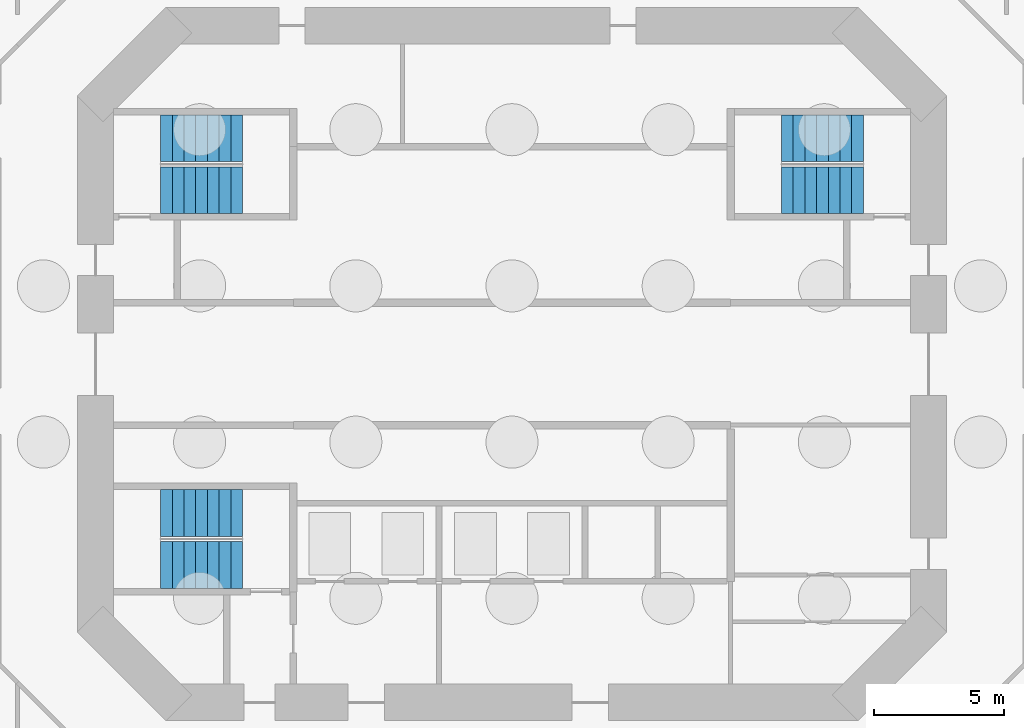
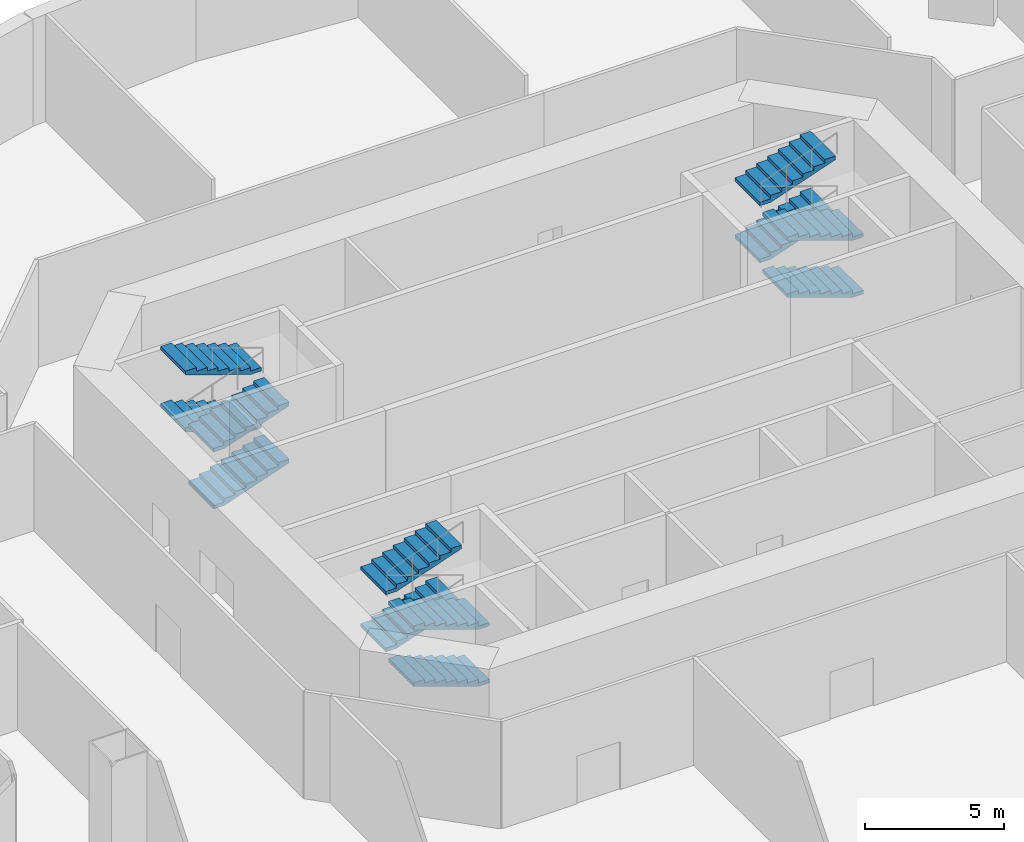
# One storey, part 7 of 9: 12 stair flights, 3 elements without a shape of their own.
"""IFC4 building model written with IfcOpenShell, lengths in metres."""

import ifcopenshell
import ifcopenshell.guid

model = None  # the IFC model being written
_history = None  # IfcOwnerHistory: only IFC2X3 demands one
_inside = {}  # id of a spatial element -> (the spatial element, [elements in it])
_under = {}  # id of a project, library or spatial element -> (it, [spatial elements below it])
_declared = {}  # id of a project -> (the project, [libraries it declares])
_typed = {}  # id of a type object -> (the type object, [elements of that type])
_made_of = {}  # id of a material, layer set ... -> (it, [elements and type objects made of it])


def new_model(schema):
    """Start an empty IFC model of exactly this schema.

    Asked for "IFC4X3", IfcOpenShell would pick the latest addendum, in which some entities
    have other attributes; the version numbers below select the first issue.
    IFC2X3 requires an IfcOwnerHistory on every rooted entity: one is made here for all.
    """
    global model, _history
    if schema == "IFC4X3":
        model = ifcopenshell.file(schema_version=(4, 3, 0, 0))
    else:
        model = ifcopenshell.file(schema=schema)
    _inside.clear()
    _under.clear()
    _declared.clear()
    _typed.clear()
    _made_of.clear()
    _history = None
    if model.schema == "IFC2X3":
        org = make("IfcOrganization", Name="unknown")
        user = make(
            "IfcPersonAndOrganization",
            ThePerson=make("IfcPerson", FamilyName="unknown"),
            TheOrganization=org,
        )
        app = make(
            "IfcApplication",
            ApplicationDeveloper=org,
            Version="unknown",
            ApplicationFullName="unknown",
            ApplicationIdentifier="unknown",
        )
        _history = make(
            "IfcOwnerHistory",
            OwningUser=user,
            OwningApplication=app,
            ChangeAction="ADDED",
            CreationDate=0,
        )
    return model


def make(cls, **values):
    """One entity of the class cls with the attributes given. An attribute that is None is left unset."""
    return model.create_entity(
        cls, **{name: value for name, value in values.items() if value is not None}
    )


def rooted(cls, **values):
    """An entity with a GlobalId (a new one), such as an element, a storey or a relation."""
    return make(cls, GlobalId=ifcopenshell.guid.new(), OwnerHistory=_history, **values)


def si_unit(unit_type, name, prefix=None):
    """IfcSIUnit, for example si_unit("LENGTHUNIT", "METRE", prefix="MILLI")."""
    return make("IfcSIUnit", UnitType=unit_type, Prefix=prefix, Name=name)


def assignment(units):
    """IfcUnitAssignment: the units of a project."""
    return None if units is None else make("IfcUnitAssignment", Units=units)


def point(xyz):
    """IfcCartesianPoint."""
    return None if xyz is None else make("IfcCartesianPoint", Coordinates=xyz)


def direction(xyz):
    """IfcDirection."""
    return None if xyz is None else make("IfcDirection", DirectionRatios=xyz)


def frame(location, z_axis=None, x_axis=None):
    """IfcAxis2Placement3D, a coordinate frame: its origin and axes. An axis left out is left unset."""
    return make(
        "IfcAxis2Placement3D",
        Location=point(location),
        Axis=direction(z_axis),
        RefDirection=direction(x_axis),
    )


def origin():
    """The frame at (0, 0, 0) with its axes left unset."""
    return frame((0.0, 0.0, 0.0))


def place(relative_to, where):
    """IfcLocalPlacement: puts the frame where relative to a parent placement (None: the world)."""
    return make(
        "IfcLocalPlacement", PlacementRelTo=relative_to, RelativePlacement=where
    )


def context(
    kind, dimensions, precision=None, world=None, true_north=None, identifier=None
):
    """IfcGeometricRepresentationContext, for example the 3D "Model" context."""
    return make(
        "IfcGeometricRepresentationContext",
        ContextIdentifier=identifier,
        ContextType=kind,
        CoordinateSpaceDimension=dimensions,
        Precision=precision,
        WorldCoordinateSystem=world,
        TrueNorth=true_north,
    )


def subcontext(parent, identifier, kind, view, scale=None):
    """IfcGeometricRepresentationSubContext, for example "Body" below "Model"."""
    return make(
        "IfcGeometricRepresentationSubContext",
        ContextIdentifier=identifier,
        ContextType=kind,
        ParentContext=parent,
        TargetScale=scale,
        TargetView=view,
    )


def project(units=None, contexts=None):
    """IfcProject with its units and contexts."""
    return rooted(
        "IfcProject",
        Name="project",
        RepresentationContexts=contexts,
        UnitsInContext=assignment(units),
    )


def spatial(cls, under=None, at=None, **own):
    """A site, building, storey or space (cls), placed at a placement, below another one or the project."""
    s = rooted(cls, ObjectPlacement=at, **own)
    if under is not None:
        _under.setdefault(under.id(), (under, []))[1].append(s)
    return s


def polyline(points):
    """IfcPolyline through the points."""
    return make("IfcPolyline", Points=[point(p) for p in points])


def outline(outer, holes=None, kind="AREA"):
    """IfcArbitraryClosedProfileDef: a profile drawn as a closed curve; with holes, ...WithVoids."""
    if holes is None:
        return make("IfcArbitraryClosedProfileDef", ProfileType=kind, OuterCurve=outer)
    return make(
        "IfcArbitraryProfileDefWithVoids",
        ProfileType=kind,
        OuterCurve=outer,
        InnerCurves=holes,
    )


def extrude(swept, where, along, depth):
    """IfcExtrudedAreaSolid: the profile swept, set in the frame where, extruded along a direction by depth."""
    return make(
        "IfcExtrudedAreaSolid",
        SweptArea=swept,
        Position=where,
        ExtrudedDirection=direction(along),
        Depth=depth,
    )


def shape(context_of_items, identifier, shape_type, items):
    """IfcShapeRepresentation: the items that make up one representation, for example the "Body"."""
    return make(
        "IfcShapeRepresentation",
        ContextOfItems=context_of_items,
        RepresentationIdentifier=identifier,
        RepresentationType=shape_type,
        Items=items,
    )


def material(Name=None, Category=None):
    """IfcMaterial."""
    return make("IfcMaterial", Name=Name, Category=Category)


def made_of(thing, what):
    """Note that an element or type object is made of a material, layer set ...; save() writes the relation."""
    if what is not None:
        _made_of.setdefault(what.id(), (what, []))[1].append(thing)
    return thing


def type_object(cls, material=None, **own):
    """A type object (cls), such as IfcWallType, which elements share."""
    return made_of(rooted(cls, **own), material)


def element(
    cls,
    number,
    at=None,
    inside=None,
    cuts=None,
    type_object=None,
    material=None,
    context=None,
    identifier="Body",
    shape_type=None,
    held_by="IfcProductDefinitionShape",
    body=None,
    shapes=None,
    **own,
):
    """One element of the class cls, such as IfcWall. Its Tag is "e" and its number.

    at: its placement. inside: the storey or other place that contains it. cuts: it is an
    opening in that element (IfcRelVoidsElement). A single representation is given by context,
    identifier, shape_type and body (its items); several are given by shapes. held_by: the class
    of the entity that holds the representations. save() writes the other relations.
    """
    e = rooted(cls, Tag="e%d" % number, ObjectPlacement=at, **own)
    if body is not None:
        shapes = [shape(context, identifier, shape_type, body)]
    if shapes is not None:
        e.Representation = make(held_by, Representations=shapes)
    if inside is not None:
        _inside.setdefault(inside.id(), (inside, []))[1].append(e)
    if cuts is not None:
        rooted(
            "IfcRelVoidsElement", RelatingBuildingElement=cuts, RelatedOpeningElement=e
        )
    if type_object is not None:
        _typed.setdefault(type_object.id(), (type_object, []))[1].append(e)
    return made_of(e, material)


def aggregate(whole, parts):
    """IfcRelAggregates: a whole, such as a stair, and the parts it consists of."""
    return rooted("IfcRelAggregates", RelatingObject=whole, RelatedObjects=parts)


def save(model, path):
    """Write the relations noted so far, then the file.

    IfcRelAggregates (storeys below a building ...), IfcRelContainedInSpatialStructure (elements
    in a storey), IfcRelDefinesByType, IfcRelAssociatesMaterial and IfcRelDeclares: one each for
    every whole, place, type object, material and project.
    """
    for whole, parts in _under.values():
        aggregate(whole, parts)
    for where, things in _inside.values():
        rooted(
            "IfcRelContainedInSpatialStructure",
            RelatedElements=things,
            RelatingStructure=where,
        )
    for kind, things in _typed.values():
        rooted("IfcRelDefinesByType", RelatedObjects=things, RelatingType=kind)
    for what, things in _made_of.values():
        rooted("IfcRelAssociatesMaterial", RelatedObjects=things, RelatingMaterial=what)
    for by, libraries in _declared.values():
        rooted("IfcRelDeclares", RelatingContext=by, RelatedDefinitions=libraries)
    model.write(path)


model = new_model("IFC4")

# Units and contexts
model_context = context("Model", 3, precision=1e-05, world=origin(), true_north=direction((0.0, 1.0)))
body_context = subcontext(model_context, "Body", "Model", "MODEL_VIEW")
ifc_project = project(units=[si_unit("LENGTHUNIT", "METRE"), si_unit("AREAUNIT", "SQUARE_METRE"), si_unit("VOLUMEUNIT", "CUBIC_METRE"), si_unit("PLANEANGLEUNIT", "RADIAN"), si_unit("MASSUNIT", "GRAM", prefix="KILO")], contexts=[model_context])

# Site, building, storey
site_placement = place(None, origin())
site = spatial("IfcSite", under=ifc_project, at=site_placement, CompositionType="ELEMENT")
building_placement = place(site_placement, origin())
building = spatial("IfcBuilding", under=site, at=building_placement, Name="Marenthal Gate Tower", CompositionType="ELEMENT")
storey_placement = place(building_placement, frame((0.0, 0.0, -10.0)))
storey = spatial("IfcBuildingStorey", under=building, at=storey_placement, Name="B2", CompositionType="ELEMENT", Elevation=-10.0)

# Stair, stair flights
ifc_material_1 = material(Name="Concrete 40 MPa", Category="concrete")
stair_type = type_object("IfcStairType", Name="Exit stair 1800", PredefinedType="HALF_TURN_STAIR", material=ifc_material_1)
stair_1_placement = place(storey_placement, origin())
stair_1 = element("IfcStair", 1, at=stair_1_placement, inside=storey, type_object=stair_type, Name="Stair ST1", PredefinedType="HALF_TURN_STAIR")
ifc_material_2 = material(Name="Concrete 40 MPa", Category="concrete")
stair_flight_type = type_object("IfcStairFlightType", Name="Stair flight 1800", PredefinedType="STRAIGHT", material=ifc_material_2)
stair_flight_1_placement = place(storey_placement, frame((-13.5, 6.675048828125, 0.0), z_axis=(0.0, 0.0, 1.0), x_axis=(1.0, 0.0, 0.0)))
stair_flight_1 = element("IfcStairFlight", 2, at=stair_flight_1_placement, type_object=stair_flight_type, Name="ST1 flight 1", NumberOfRisers=8, NumberOfTreads=7, PredefinedType="STRAIGHT", RiserHeight=0.15625, TreadLength=0.45, context=body_context, shape_type="SweptSolid", body=[
    extrude(outline(polyline([(0.0, 0.0), (0.0, 0.15625), (0.449951171875, 0.15625), (0.449951171875, 0.3125), (0.89990234375, 0.3125), (0.89990234375, 0.46875), (1.35009765625, 0.46875), (1.35009765625, 0.625), (1.800048828125, 0.625), (1.800048828125, 0.78125), (2.25, 0.78125), (2.25, 0.9375), (2.699951171875, 0.9375), (2.699951171875, 1.09375), (3.14990234375, 1.09375), (3.14990234375, 1.25), (3.14990234375, 0.93505859375), (0.45703125, 0.0), (0.0, 0.0)])), frame((0.0, 0.89990234375, 0.0), z_axis=(0.0, -1.0, 0.0), x_axis=(1.0, 0.0, 0.0)), (0.0, 0.0, 1.0), 1.800048828125),
])
stair_flight_2_placement = place(storey_placement, frame((-10.35009765625, 8.675048828125, 1.25), z_axis=(0.0, 0.0, 1.0), x_axis=(-1.0, 0.0, 0.0)))
stair_flight_2 = element("IfcStairFlight", 3, at=stair_flight_2_placement, type_object=stair_flight_type, Name="ST1 flight 2", NumberOfRisers=8, NumberOfTreads=7, PredefinedType="STRAIGHT", RiserHeight=0.15625, TreadLength=0.45, context=body_context, shape_type="SweptSolid", body=[
    extrude(outline(polyline([(0.0, 0.0), (0.0, 0.15625), (0.449951171875, 0.15625), (0.449951171875, 0.3125), (0.89990234375, 0.3125), (0.89990234375, 0.46875), (1.35009765625, 0.46875), (1.35009765625, 0.625), (1.800048828125, 0.625), (1.800048828125, 0.78125), (2.25, 0.78125), (2.25, 0.9375), (2.699951171875, 0.9375), (2.699951171875, 1.09375), (3.14990234375, 1.09375), (3.14990234375, 1.25), (3.14990234375, 0.93505859375), (0.45703125, 0.0), (0.0, 0.0)])), frame((0.0, 0.89990234375, 0.0), z_axis=(0.0, -1.0, 0.0), x_axis=(1.0, 0.0, 0.0)), (0.0, 0.0, 1.0), 1.800048828125),
])
stair_flight_3_placement = place(storey_placement, frame((-13.5, 6.675048828125, 2.5), z_axis=(0.0, 0.0, 1.0), x_axis=(1.0, 0.0, 0.0)))
stair_flight_3 = element("IfcStairFlight", 4, at=stair_flight_3_placement, type_object=stair_flight_type, Name="ST1 flight 3", NumberOfRisers=8, NumberOfTreads=7, PredefinedType="STRAIGHT", RiserHeight=0.15625, TreadLength=0.45, context=body_context, shape_type="SweptSolid", body=[
    extrude(outline(polyline([(0.0, 0.0), (0.0, 0.15625), (0.449951171875, 0.15625), (0.449951171875, 0.3125), (0.89990234375, 0.3125), (0.89990234375, 0.46875), (1.35009765625, 0.46875), (1.35009765625, 0.625), (1.800048828125, 0.625), (1.800048828125, 0.78125), (2.25, 0.78125), (2.25, 0.9375), (2.699951171875, 0.9375), (2.699951171875, 1.09375), (3.14990234375, 1.09375), (3.14990234375, 1.25), (3.14990234375, 0.93505859375), (0.45703125, 0.0), (0.0, 0.0)])), frame((0.0, 0.89990234375, 0.0), z_axis=(0.0, -1.0, 0.0), x_axis=(1.0, 0.0, 0.0)), (0.0, 0.0, 1.0), 1.800048828125),
])
stair_flight_4_placement = place(storey_placement, frame((-10.35009765625, 8.675048828125, 3.75), z_axis=(0.0, 0.0, 1.0), x_axis=(-1.0, 0.0, 0.0)))
stair_flight_4 = element("IfcStairFlight", 5, at=stair_flight_4_placement, type_object=stair_flight_type, Name="ST1 flight 4", NumberOfRisers=8, NumberOfTreads=7, PredefinedType="STRAIGHT", RiserHeight=0.15625, TreadLength=0.45, context=body_context, shape_type="SweptSolid", body=[
    extrude(outline(polyline([(0.0, 0.0), (0.0, 0.15625), (0.449951171875, 0.15625), (0.449951171875, 0.3125), (0.89990234375, 0.3125), (0.89990234375, 0.46875), (1.35009765625, 0.46875), (1.35009765625, 0.625), (1.800048828125, 0.625), (1.800048828125, 0.78125), (2.25, 0.78125), (2.25, 0.9375), (2.699951171875, 0.9375), (2.699951171875, 1.09375), (3.14990234375, 1.09375), (3.14990234375, 1.25), (3.14990234375, 0.93505859375), (0.45703125, 0.0), (0.0, 0.0)])), frame((0.0, 0.89990234375, 0.0), z_axis=(0.0, -1.0, 0.0), x_axis=(1.0, 0.0, 0.0)), (0.0, 0.0, 1.0), 1.800048828125),
])
aggregate(stair_1, [stair_flight_1, stair_flight_2, stair_flight_3, stair_flight_4])

stair_2_placement = place(storey_placement, origin())
stair_2 = element("IfcStair", 6, at=stair_2_placement, inside=storey, type_object=stair_type, Name="Stair ST2", PredefinedType="HALF_TURN_STAIR")
stair_flight_5_placement = place(storey_placement, frame((-10.35009765625, -7.72509765625, 0.0), z_axis=(0.0, 0.0, 1.0), x_axis=(-1.0, 0.0, 0.0)))
stair_flight_5 = element("IfcStairFlight", 7, at=stair_flight_5_placement, type_object=stair_flight_type, Name="ST2 flight 1", NumberOfRisers=8, NumberOfTreads=7, PredefinedType="STRAIGHT", RiserHeight=0.15625, TreadLength=0.45, context=body_context, shape_type="SweptSolid", body=[
    extrude(outline(polyline([(0.0, 0.0), (0.0, 0.15625), (0.449951171875, 0.15625), (0.449951171875, 0.3125), (0.89990234375, 0.3125), (0.89990234375, 0.46875), (1.35009765625, 0.46875), (1.35009765625, 0.625), (1.800048828125, 0.625), (1.800048828125, 0.78125), (2.25, 0.78125), (2.25, 0.9375), (2.699951171875, 0.9375), (2.699951171875, 1.09375), (3.14990234375, 1.09375), (3.14990234375, 1.25), (3.14990234375, 0.93505859375), (0.45703125, 0.0), (0.0, 0.0)])), frame((0.0, 0.89990234375, 0.0), z_axis=(0.0, -1.0, 0.0), x_axis=(1.0, 0.0, 0.0)), (0.0, 0.0, 1.0), 1.800048828125),
])
stair_flight_6_placement = place(storey_placement, frame((-13.5, -5.72509765625, 1.25), z_axis=(0.0, 0.0, 1.0), x_axis=(1.0, 0.0, 0.0)))
stair_flight_6 = element("IfcStairFlight", 8, at=stair_flight_6_placement, type_object=stair_flight_type, Name="ST2 flight 2", NumberOfRisers=8, NumberOfTreads=7, PredefinedType="STRAIGHT", RiserHeight=0.15625, TreadLength=0.45, context=body_context, shape_type="SweptSolid", body=[
    extrude(outline(polyline([(0.0, 0.0), (0.0, 0.15625), (0.449951171875, 0.15625), (0.449951171875, 0.3125), (0.89990234375, 0.3125), (0.89990234375, 0.46875), (1.35009765625, 0.46875), (1.35009765625, 0.625), (1.800048828125, 0.625), (1.800048828125, 0.78125), (2.25, 0.78125), (2.25, 0.9375), (2.699951171875, 0.9375), (2.699951171875, 1.09375), (3.14990234375, 1.09375), (3.14990234375, 1.25), (3.14990234375, 0.93505859375), (0.45703125, 0.0), (0.0, 0.0)])), frame((0.0, 0.89990234375, 0.0), z_axis=(0.0, -1.0, 0.0), x_axis=(1.0, 0.0, 0.0)), (0.0, 0.0, 1.0), 1.800048828125),
])
stair_flight_7_placement = place(storey_placement, frame((-10.35009765625, -7.72509765625, 2.5), z_axis=(0.0, 0.0, 1.0), x_axis=(-1.0, 0.0, 0.0)))
stair_flight_7 = element("IfcStairFlight", 9, at=stair_flight_7_placement, type_object=stair_flight_type, Name="ST2 flight 3", NumberOfRisers=8, NumberOfTreads=7, PredefinedType="STRAIGHT", RiserHeight=0.15625, TreadLength=0.45, context=body_context, shape_type="SweptSolid", body=[
    extrude(outline(polyline([(0.0, 0.0), (0.0, 0.15625), (0.449951171875, 0.15625), (0.449951171875, 0.3125), (0.89990234375, 0.3125), (0.89990234375, 0.46875), (1.35009765625, 0.46875), (1.35009765625, 0.625), (1.800048828125, 0.625), (1.800048828125, 0.78125), (2.25, 0.78125), (2.25, 0.9375), (2.699951171875, 0.9375), (2.699951171875, 1.09375), (3.14990234375, 1.09375), (3.14990234375, 1.25), (3.14990234375, 0.93505859375), (0.45703125, 0.0), (0.0, 0.0)])), frame((0.0, 0.89990234375, 0.0), z_axis=(0.0, -1.0, 0.0), x_axis=(1.0, 0.0, 0.0)), (0.0, 0.0, 1.0), 1.800048828125),
])
stair_flight_8_placement = place(storey_placement, frame((-13.5, -5.72509765625, 3.75), z_axis=(0.0, 0.0, 1.0), x_axis=(1.0, 0.0, 0.0)))
stair_flight_8 = element("IfcStairFlight", 10, at=stair_flight_8_placement, type_object=stair_flight_type, Name="ST2 flight 4", NumberOfRisers=8, NumberOfTreads=7, PredefinedType="STRAIGHT", RiserHeight=0.15625, TreadLength=0.45, context=body_context, shape_type="SweptSolid", body=[
    extrude(outline(polyline([(0.0, 0.0), (0.0, 0.15625), (0.449951171875, 0.15625), (0.449951171875, 0.3125), (0.89990234375, 0.3125), (0.89990234375, 0.46875), (1.35009765625, 0.46875), (1.35009765625, 0.625), (1.800048828125, 0.625), (1.800048828125, 0.78125), (2.25, 0.78125), (2.25, 0.9375), (2.699951171875, 0.9375), (2.699951171875, 1.09375), (3.14990234375, 1.09375), (3.14990234375, 1.25), (3.14990234375, 0.93505859375), (0.45703125, 0.0), (0.0, 0.0)])), frame((0.0, 0.89990234375, 0.0), z_axis=(0.0, -1.0, 0.0), x_axis=(1.0, 0.0, 0.0)), (0.0, 0.0, 1.0), 1.800048828125),
])
aggregate(stair_2, [stair_flight_5, stair_flight_6, stair_flight_7, stair_flight_8])

stair_3_placement = place(storey_placement, origin())
stair_3 = element("IfcStair", 11, at=stair_3_placement, inside=storey, type_object=stair_type, Name="Stair ST3", PredefinedType="HALF_TURN_STAIR")
stair_flight_9_placement = place(storey_placement, frame((13.5, 6.675048828125, 0.0), z_axis=(0.0, 0.0, 1.0), x_axis=(-1.0, 0.0, 0.0)))
stair_flight_9 = element("IfcStairFlight", 12, at=stair_flight_9_placement, type_object=stair_flight_type, Name="ST3 flight 1", NumberOfRisers=8, NumberOfTreads=7, PredefinedType="STRAIGHT", RiserHeight=0.15625, TreadLength=0.45, context=body_context, shape_type="SweptSolid", body=[
    extrude(outline(polyline([(0.0, 0.0), (0.0, 0.15625), (0.449951171875, 0.15625), (0.449951171875, 0.3125), (0.89990234375, 0.3125), (0.89990234375, 0.46875), (1.35009765625, 0.46875), (1.35009765625, 0.625), (1.800048828125, 0.625), (1.800048828125, 0.78125), (2.25, 0.78125), (2.25, 0.9375), (2.699951171875, 0.9375), (2.699951171875, 1.09375), (3.14990234375, 1.09375), (3.14990234375, 1.25), (3.14990234375, 0.93505859375), (0.45703125, 0.0), (0.0, 0.0)])), frame((0.0, 0.89990234375, 0.0), z_axis=(0.0, -1.0, 0.0), x_axis=(1.0, 0.0, 0.0)), (0.0, 0.0, 1.0), 1.800048828125),
])
stair_flight_10_placement = place(storey_placement, frame((10.35009765625, 8.675048828125, 1.25), z_axis=(0.0, 0.0, 1.0), x_axis=(1.0, 0.0, 0.0)))
stair_flight_10 = element("IfcStairFlight", 13, at=stair_flight_10_placement, type_object=stair_flight_type, Name="ST3 flight 2", NumberOfRisers=8, NumberOfTreads=7, PredefinedType="STRAIGHT", RiserHeight=0.15625, TreadLength=0.45, context=body_context, shape_type="SweptSolid", body=[
    extrude(outline(polyline([(0.0, 0.0), (0.0, 0.15625), (0.449951171875, 0.15625), (0.449951171875, 0.3125), (0.89990234375, 0.3125), (0.89990234375, 0.46875), (1.35009765625, 0.46875), (1.35009765625, 0.625), (1.800048828125, 0.625), (1.800048828125, 0.78125), (2.25, 0.78125), (2.25, 0.9375), (2.699951171875, 0.9375), (2.699951171875, 1.09375), (3.14990234375, 1.09375), (3.14990234375, 1.25), (3.14990234375, 0.93505859375), (0.45703125, 0.0), (0.0, 0.0)])), frame((0.0, 0.89990234375, 0.0), z_axis=(0.0, -1.0, 0.0), x_axis=(1.0, 0.0, 0.0)), (0.0, 0.0, 1.0), 1.800048828125),
])
stair_flight_11_placement = place(storey_placement, frame((13.5, 6.675048828125, 2.5), z_axis=(0.0, 0.0, 1.0), x_axis=(-1.0, 0.0, 0.0)))
stair_flight_11 = element("IfcStairFlight", 14, at=stair_flight_11_placement, type_object=stair_flight_type, Name="ST3 flight 3", NumberOfRisers=8, NumberOfTreads=7, PredefinedType="STRAIGHT", RiserHeight=0.15625, TreadLength=0.45, context=body_context, shape_type="SweptSolid", body=[
    extrude(outline(polyline([(0.0, 0.0), (0.0, 0.15625), (0.449951171875, 0.15625), (0.449951171875, 0.3125), (0.89990234375, 0.3125), (0.89990234375, 0.46875), (1.35009765625, 0.46875), (1.35009765625, 0.625), (1.800048828125, 0.625), (1.800048828125, 0.78125), (2.25, 0.78125), (2.25, 0.9375), (2.699951171875, 0.9375), (2.699951171875, 1.09375), (3.14990234375, 1.09375), (3.14990234375, 1.25), (3.14990234375, 0.93505859375), (0.45703125, 0.0), (0.0, 0.0)])), frame((0.0, 0.89990234375, 0.0), z_axis=(0.0, -1.0, 0.0), x_axis=(1.0, 0.0, 0.0)), (0.0, 0.0, 1.0), 1.800048828125),
])
stair_flight_12_placement = place(storey_placement, frame((10.35009765625, 8.675048828125, 3.75), z_axis=(0.0, 0.0, 1.0), x_axis=(1.0, 0.0, 0.0)))
stair_flight_12 = element("IfcStairFlight", 15, at=stair_flight_12_placement, type_object=stair_flight_type, Name="ST3 flight 4", NumberOfRisers=8, NumberOfTreads=7, PredefinedType="STRAIGHT", RiserHeight=0.15625, TreadLength=0.45, context=body_context, shape_type="SweptSolid", body=[
    extrude(outline(polyline([(0.0, 0.0), (0.0, 0.15625), (0.449951171875, 0.15625), (0.449951171875, 0.3125), (0.89990234375, 0.3125), (0.89990234375, 0.46875), (1.35009765625, 0.46875), (1.35009765625, 0.625), (1.800048828125, 0.625), (1.800048828125, 0.78125), (2.25, 0.78125), (2.25, 0.9375), (2.699951171875, 0.9375), (2.699951171875, 1.09375), (3.14990234375, 1.09375), (3.14990234375, 1.25), (3.14990234375, 0.93505859375), (0.45703125, 0.0), (0.0, 0.0)])), frame((0.0, 0.89990234375, 0.0), z_axis=(0.0, -1.0, 0.0), x_axis=(1.0, 0.0, 0.0)), (0.0, 0.0, 1.0), 1.800048828125),
])
aggregate(stair_3, [stair_flight_9, stair_flight_10, stair_flight_11, stair_flight_12])

save(model, "model.ifc")
